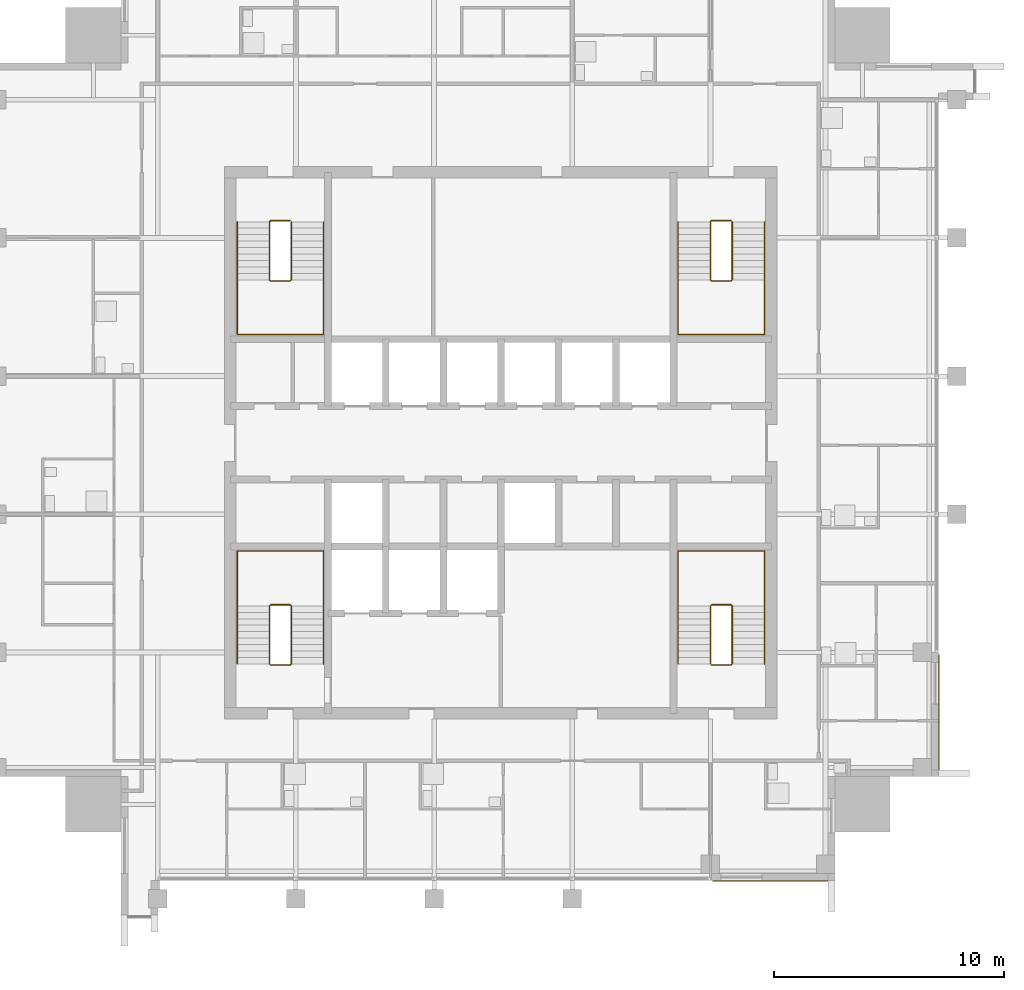
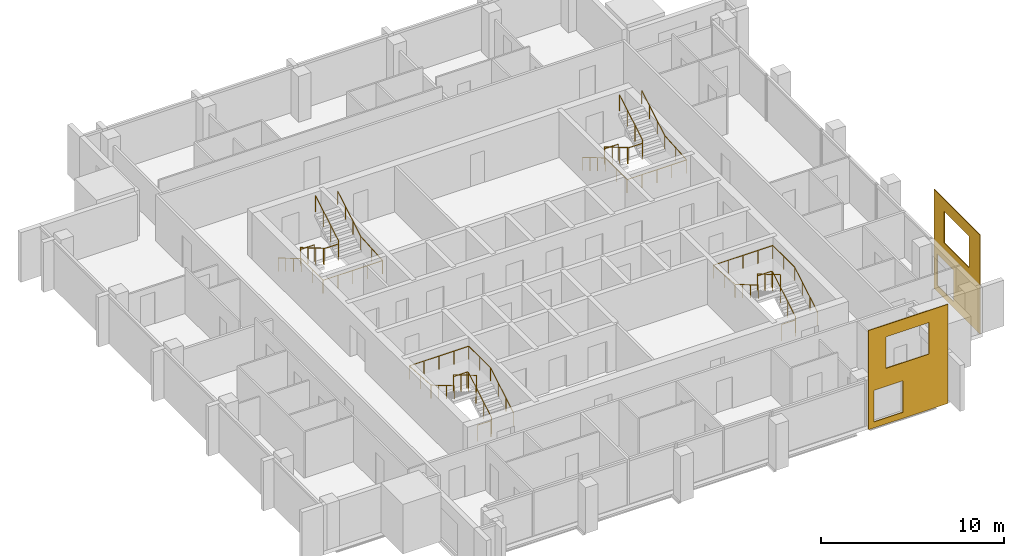
# One storey, part 12 of 13: 8 railings, 2 coverings.
"""IFC4 building model written with IfcOpenShell, lengths in metres."""

from ifc_helpers import new_model, si_unit, direction, frame, origin, origin_2d, place, context, subcontext, project, spatial, polyline, circle, outline, extrude, material, layer, layer_set, type_object, element, save


model = new_model("IFC4")

# Units and contexts
model_context = context("Model", 3, precision=1e-05, world=origin(), true_north=direction((0.0, 1.0)))
body_context = subcontext(model_context, "Body", "Model", "MODEL_VIEW")
ifc_project = project(units=[si_unit("LENGTHUNIT", "METRE"), si_unit("AREAUNIT", "SQUARE_METRE"), si_unit("VOLUMEUNIT", "CUBIC_METRE"), si_unit("PLANEANGLEUNIT", "RADIAN"), si_unit("MASSUNIT", "GRAM", prefix="KILO")], contexts=[model_context])

# Site, building, storey
site_placement = place(None, origin())
site = spatial("IfcSite", under=ifc_project, at=site_placement, CompositionType="ELEMENT")
building_placement = place(site_placement, origin())
building = spatial("IfcBuilding", under=site, at=building_placement, Name="Amberfall Residences", CompositionType="ELEMENT")
storey_placement = place(building_placement, frame((0.0, 0.0, 271.89990234375)))
storey = spatial("IfcBuildingStorey", under=building, at=storey_placement, Name="L73", CompositionType="ELEMENT", Elevation=271.89990234375)

# Coverings
ifc_material_1 = material(Name="Pale limestone cladding", Category="masonry")
ifc_layer = layer(ifc_material_1, 0.050048828125)
ifc_layer_set = layer_set([ifc_layer], Name="Limestone fascia 50")
covering_type = type_object("IfcCoveringType", Name="Limestone fascia 50", PredefinedType="CLADDING", material=ifc_layer_set)
covering_1_placement = place(storey_placement, frame((83.68994140625, 26.5, 6.35009765625), z_axis=(0.0, 1.0, 0.0), x_axis=(1.0, 0.0, 0.0)))
element("IfcCovering", 1, at=covering_1_placement, inside=storey, type_object=covering_type, Name="Pale limestone cladding L73-L74 S", PredefinedType="CLADDING", context=body_context, shape_type="SweptSolid", body=[
    extrude(outline(polyline([(0.0, 0.0), (5.010009765625, 0.0), (5.010009765625, 6.60009765625), (0.0, 6.60009765625), (0.0, 0.0)]), holes=[polyline([(0.360107421875, 4.10009765625), (2.16015625, 4.10009765625), (2.16015625, 6.199951171875), (0.360107421875, 6.199951171875), (0.360107421875, 4.10009765625)]), polyline([(1.110107421875, 0.800048828125), (3.81005859375, 0.800048828125), (3.81005859375, 2.89990234375), (1.110107421875, 2.89990234375), (1.110107421875, 0.800048828125)])]), origin(), (0.0, 0.0, -1.0), 0.050048828125),
])
covering_2_placement = place(storey_placement, frame((93.5, 31.300048828125, 6.35009765625), z_axis=(-1.0, 0.0, 0.0), x_axis=(0.0, 1.0, 0.0)))
element("IfcCovering", 2, at=covering_2_placement, inside=storey, type_object=covering_type, Name="Pale limestone cladding L73-L74 E", PredefinedType="CLADDING", context=body_context, shape_type="SweptSolid", body=[
    extrude(outline(polyline([(0.0, 0.0), (5.010009765625, 0.0), (5.010009765625, 6.60009765625), (0.0, 6.60009765625), (0.0, 0.0)]), holes=[polyline([(2.849853515625, 4.10009765625), (4.64990234375, 4.10009765625), (4.64990234375, 6.199951171875), (2.849853515625, 6.199951171875), (2.849853515625, 4.10009765625)]), polyline([(1.199951171875, 0.800048828125), (3.89990234375, 0.800048828125), (3.89990234375, 2.89990234375), (1.199951171875, 2.89990234375), (1.199951171875, 0.800048828125)])]), origin(), (0.0, 0.0, -1.0), 0.050048828125),
])

# Railings
ifc_material_2 = material(Name="Stainless steel 316", Category="steel")
railing_type_1 = type_object("IfcRailingType", Name="Stair guard 1100", PredefinedType="GUARDRAIL", material=ifc_material_2)
railing_1_placement = place(storey_placement, frame((64.5, 35.85009765625, 0.0)))
element("IfcRailing", 3, at=railing_1_placement, inside=storey, type_object=railing_type_1, Name="L73 stair 1 guard", PredefinedType="GUARDRAIL", context=body_context, shape_type="SweptSolid", body=[
    extrude(circle(Radius=0.02392578125, at=origin_2d()), frame((0.0, 0.0, 1.076171875), z_axis=(1.0, 0.0, 0.0), x_axis=(0.0, 1.0, 0.0)), (0.0, 0.0, 1.0), 0.85009765625),
    extrude(circle(Radius=0.02392578125, at=origin_2d()), frame((0.85009765625, 0.0, 1.076171875), z_axis=(0.27755538755, 0.27755538755, 0.919742362667), x_axis=(-0.707106781187, 0.707106781187, 0.0)), (0.0, 0.0, 1.0), 0.179443359375),
    extrude(circle(Radius=0.02392578125, at=origin_2d()), frame((0.89990234375, 0.0498046875, 1.2412109375), z_axis=(0.0, 0.86152411907, 0.507716645641), x_axis=(-1.0, 0.0, 0.0)), (0.0, 0.0, 1.0), 2.925048828125),
    extrude(circle(Radius=0.02392578125, at=origin_2d()), frame((0.89990234375, 2.56982421875, 2.72607421875), z_axis=(-0.705375805398, 0.708833529934, 0.0), x_axis=(-0.708833529934, -0.705375805398, 0.0)), (0.0, 0.0, 1.0), 0.070556640625),
    extrude(circle(Radius=0.02392578125, at=origin_2d()), frame((0.85009765625, 2.619873046875, 2.72607421875), z_axis=(-1.0, 0.0, 0.0), x_axis=(0.0, -1.0, 0.0)), (0.0, 0.0, 1.0), 0.85009765625),
    extrude(circle(Radius=0.02392578125, at=origin_2d()), frame((0.0, 2.619873046875, 2.72607421875), z_axis=(-0.278705021027, -0.278705021027, 0.919046801044), x_axis=(0.707106781187, -0.707106781187, 0.0)), (0.0, 0.0, 1.0), 0.1796875),
    extrude(circle(Radius=0.02392578125, at=origin_2d()), frame((-0.050048828125, 2.56982421875, 2.89111328125), z_axis=(0.0, -0.861560626758, 0.507654692109), x_axis=(1.0, 0.0, 0.0)), (0.0, 0.0, 1.0), 2.925048828125),
    extrude(circle(Radius=0.02099609375, at=origin_2d()), origin(), (0.0, 0.0, 1.0), 1.052001953125),
    extrude(circle(Radius=0.02099609375, at=origin_2d()), frame((0.85009765625, 0.0, 0.0)), (0.0, 0.0, 1.0), 1.052001953125),
    extrude(circle(Radius=0.02099609375, at=origin_2d()), frame((0.89990234375, 0.0498046875, 0.1650390625)), (0.0, 0.0, 1.0), 1.052001953125),
    extrude(circle(Radius=0.02099609375, at=origin_2d()), frame((0.89990234375, 0.889892578125, 0.66015625)), (0.0, 0.0, 1.0), 1.052001953125),
    extrude(circle(Radius=0.02099609375, at=origin_2d()), frame((0.89990234375, 1.729736328125, 1.155029296875)), (0.0, 0.0, 1.0), 1.052001953125),
    extrude(circle(Radius=0.02099609375, at=origin_2d()), frame((0.89990234375, 2.56982421875, 1.650146484375)), (0.0, 0.0, 1.0), 1.052001953125),
    extrude(circle(Radius=0.02099609375, at=origin_2d()), frame((0.85009765625, 2.619873046875, 1.650146484375)), (0.0, 0.0, 1.0), 1.052001953125),
    extrude(circle(Radius=0.02099609375, at=origin_2d()), frame((0.0, 2.619873046875, 1.650146484375)), (0.0, 0.0, 1.0), 1.052001953125),
    extrude(circle(Radius=0.02099609375, at=origin_2d()), frame((-0.050048828125, 2.56982421875, 1.815185546875)), (0.0, 0.0, 1.0), 1.052001953125),
    extrude(circle(Radius=0.02099609375, at=origin_2d()), frame((-0.050048828125, 1.729736328125, 2.31005859375)), (0.0, 0.0, 1.0), 1.052001953125),
    extrude(circle(Radius=0.02099609375, at=origin_2d()), frame((-0.050048828125, 0.889892578125, 2.80517578125)), (0.0, 0.0, 1.0), 1.052001953125),
    extrude(circle(Radius=0.02099609375, at=origin_2d()), frame((-0.050048828125, 0.0498046875, 3.300048828125)), (0.0, 0.0, 1.0), 1.052001953125),
])
railing_2_placement = place(storey_placement, frame((83.64990234375, 35.85009765625, 0.0)))
element("IfcRailing", 4, at=railing_2_placement, inside=storey, type_object=railing_type_1, Name="L73 stair 2 guard", PredefinedType="GUARDRAIL", context=body_context, shape_type="SweptSolid", body=[
    extrude(circle(Radius=0.02392578125, at=origin_2d()), frame((0.0, 0.0, 1.076171875), z_axis=(1.0, 0.0, 0.0), x_axis=(0.0, 1.0, 0.0)), (0.0, 0.0, 1.0), 0.85009765625),
    extrude(circle(Radius=0.02392578125, at=origin_2d()), frame((0.85009765625, 0.0, 1.076171875), z_axis=(0.278810427259, 0.277450376394, 0.919394384522), x_axis=(-0.705375805398, 0.708833529934, 0.0)), (0.0, 0.0, 1.0), 0.179443359375),
    extrude(circle(Radius=0.02392578125, at=origin_2d()), frame((0.900146484375, 0.0498046875, 1.2412109375), z_axis=(0.0, 0.86152411907, 0.507716645641), x_axis=(-1.0, 0.0, 0.0)), (0.0, 0.0, 1.0), 2.925048828125),
    extrude(circle(Radius=0.02392578125, at=origin_2d()), frame((0.900146484375, 2.56982421875, 2.72607421875), z_axis=(-0.707106781187, 0.707106781187, 0.0), x_axis=(-0.707106781187, -0.707106781187, 0.0)), (0.0, 0.0, 1.0), 0.07080078125),
    extrude(circle(Radius=0.02392578125, at=origin_2d()), frame((0.85009765625, 2.619873046875, 2.72607421875), z_axis=(-1.0, 0.0, 0.0), x_axis=(0.0, -1.0, 0.0)), (0.0, 0.0, 1.0), 0.85009765625),
    extrude(circle(Radius=0.02392578125, at=origin_2d()), frame((0.0, 2.619873046875, 2.72607421875), z_axis=(-0.277450376394, -0.278810427259, 0.919394384522), x_axis=(0.708833529934, -0.705375805398, 0.0)), (0.0, 0.0, 1.0), 0.179443359375),
    extrude(circle(Radius=0.02392578125, at=origin_2d()), frame((-0.0498046875, 2.56982421875, 2.89111328125), z_axis=(0.0, -0.861560626758, 0.507654692109), x_axis=(1.0, 0.0, 0.0)), (0.0, 0.0, 1.0), 2.925048828125),
    extrude(circle(Radius=0.02099609375, at=origin_2d()), origin(), (0.0, 0.0, 1.0), 1.052001953125),
    extrude(circle(Radius=0.02099609375, at=origin_2d()), frame((0.85009765625, 0.0, 0.0)), (0.0, 0.0, 1.0), 1.052001953125),
    extrude(circle(Radius=0.02099609375, at=origin_2d()), frame((0.900146484375, 0.0498046875, 0.1650390625)), (0.0, 0.0, 1.0), 1.052001953125),
    extrude(circle(Radius=0.02099609375, at=origin_2d()), frame((0.900146484375, 0.889892578125, 0.66015625)), (0.0, 0.0, 1.0), 1.052001953125),
    extrude(circle(Radius=0.02099609375, at=origin_2d()), frame((0.900146484375, 1.729736328125, 1.155029296875)), (0.0, 0.0, 1.0), 1.052001953125),
    extrude(circle(Radius=0.02099609375, at=origin_2d()), frame((0.900146484375, 2.56982421875, 1.650146484375)), (0.0, 0.0, 1.0), 1.052001953125),
    extrude(circle(Radius=0.02099609375, at=origin_2d()), frame((0.85009765625, 2.619873046875, 1.650146484375)), (0.0, 0.0, 1.0), 1.052001953125),
    extrude(circle(Radius=0.02099609375, at=origin_2d()), frame((0.0, 2.619873046875, 1.650146484375)), (0.0, 0.0, 1.0), 1.052001953125),
    extrude(circle(Radius=0.02099609375, at=origin_2d()), frame((-0.0498046875, 2.56982421875, 1.815185546875)), (0.0, 0.0, 1.0), 1.052001953125),
    extrude(circle(Radius=0.02099609375, at=origin_2d()), frame((-0.0498046875, 1.729736328125, 2.31005859375)), (0.0, 0.0, 1.0), 1.052001953125),
    extrude(circle(Radius=0.02099609375, at=origin_2d()), frame((-0.0498046875, 0.889892578125, 2.80517578125)), (0.0, 0.0, 1.0), 1.052001953125),
    extrude(circle(Radius=0.02099609375, at=origin_2d()), frame((-0.0498046875, 0.0498046875, 3.300048828125)), (0.0, 0.0, 1.0), 1.052001953125),
])
railing_3_placement = place(storey_placement, frame((84.5, 55.14990234375, 0.0)))
element("IfcRailing", 5, at=railing_3_placement, inside=storey, type_object=railing_type_1, Name="L73 stair 3 guard", PredefinedType="GUARDRAIL", context=body_context, shape_type="SweptSolid", body=[
    extrude(circle(Radius=0.02392578125, at=origin_2d()), frame((0.0, 0.0, 1.076171875), z_axis=(-1.0, 0.0, 0.0), x_axis=(0.0, -1.0, 0.0)), (0.0, 0.0, 1.0), 0.85009765625),
    extrude(circle(Radius=0.02392578125, at=origin_2d()), frame((-0.85009765625, 0.0, 1.076171875), z_axis=(-0.27755538755, -0.27755538755, 0.919742362667), x_axis=(0.707106781187, -0.707106781187, 0.0)), (0.0, 0.0, 1.0), 0.179443359375),
    extrude(circle(Radius=0.02392578125, at=origin_2d()), frame((-0.89990234375, -0.0498046875, 1.2412109375), z_axis=(0.0, -0.86152411907, 0.507716645641), x_axis=(1.0, 0.0, 0.0)), (0.0, 0.0, 1.0), 2.925048828125),
    extrude(circle(Radius=0.02392578125, at=origin_2d()), frame((-0.89990234375, -2.56982421875, 2.72607421875), z_axis=(0.705375805398, -0.708833529934, 0.0), x_axis=(0.708833529934, 0.705375805398, 0.0)), (0.0, 0.0, 1.0), 0.070556640625),
    extrude(circle(Radius=0.02392578125, at=origin_2d()), frame((-0.85009765625, -2.619873046875, 2.72607421875), z_axis=(1.0, 0.0, 0.0), x_axis=(0.0, 1.0, 0.0)), (0.0, 0.0, 1.0), 0.85009765625),
    extrude(circle(Radius=0.02392578125, at=origin_2d()), frame((0.0, -2.619873046875, 2.72607421875), z_axis=(0.278705021027, 0.278705021027, 0.919046801044), x_axis=(-0.707106781187, 0.707106781187, 0.0)), (0.0, 0.0, 1.0), 0.1796875),
    extrude(circle(Radius=0.02392578125, at=origin_2d()), frame((0.050048828125, -2.56982421875, 2.89111328125), z_axis=(0.0, 0.861560626758, 0.507654692109), x_axis=(-1.0, 0.0, 0.0)), (0.0, 0.0, 1.0), 2.925048828125),
    extrude(circle(Radius=0.02099609375, at=origin_2d()), origin(), (0.0, 0.0, 1.0), 1.052001953125),
    extrude(circle(Radius=0.02099609375, at=origin_2d()), frame((-0.85009765625, 0.0, 0.0)), (0.0, 0.0, 1.0), 1.052001953125),
    extrude(circle(Radius=0.02099609375, at=origin_2d()), frame((-0.89990234375, -0.0498046875, 0.1650390625)), (0.0, 0.0, 1.0), 1.052001953125),
    extrude(circle(Radius=0.02099609375, at=origin_2d()), frame((-0.89990234375, -0.889892578125, 0.66015625)), (0.0, 0.0, 1.0), 1.052001953125),
    extrude(circle(Radius=0.02099609375, at=origin_2d()), frame((-0.89990234375, -1.729736328125, 1.155029296875)), (0.0, 0.0, 1.0), 1.052001953125),
    extrude(circle(Radius=0.02099609375, at=origin_2d()), frame((-0.89990234375, -2.56982421875, 1.650146484375)), (0.0, 0.0, 1.0), 1.052001953125),
    extrude(circle(Radius=0.02099609375, at=origin_2d()), frame((-0.85009765625, -2.619873046875, 1.650146484375)), (0.0, 0.0, 1.0), 1.052001953125),
    extrude(circle(Radius=0.02099609375, at=origin_2d()), frame((0.0, -2.619873046875, 1.650146484375)), (0.0, 0.0, 1.0), 1.052001953125),
    extrude(circle(Radius=0.02099609375, at=origin_2d()), frame((0.050048828125, -2.56982421875, 1.815185546875)), (0.0, 0.0, 1.0), 1.052001953125),
    extrude(circle(Radius=0.02099609375, at=origin_2d()), frame((0.050048828125, -1.729736328125, 2.31005859375)), (0.0, 0.0, 1.0), 1.052001953125),
    extrude(circle(Radius=0.02099609375, at=origin_2d()), frame((0.050048828125, -0.889892578125, 2.80517578125)), (0.0, 0.0, 1.0), 1.052001953125),
    extrude(circle(Radius=0.02099609375, at=origin_2d()), frame((0.050048828125, -0.0498046875, 3.300048828125)), (0.0, 0.0, 1.0), 1.052001953125),
])
railing_4_placement = place(storey_placement, frame((65.35009765625, 55.14990234375, 0.0)))
element("IfcRailing", 6, at=railing_4_placement, inside=storey, type_object=railing_type_1, Name="L73 stair 4 guard", PredefinedType="GUARDRAIL", context=body_context, shape_type="SweptSolid", body=[
    extrude(circle(Radius=0.02392578125, at=origin_2d()), frame((0.0, 0.0, 1.076171875), z_axis=(-1.0, 0.0, 0.0), x_axis=(0.0, -1.0, 0.0)), (0.0, 0.0, 1.0), 0.85009765625),
    extrude(circle(Radius=0.02392578125, at=origin_2d()), frame((-0.85009765625, 0.0, 1.076171875), z_axis=(-0.278810427259, -0.277450376394, 0.919394384522), x_axis=(0.705375805398, -0.708833529934, 0.0)), (0.0, 0.0, 1.0), 0.179443359375),
    extrude(circle(Radius=0.02392578125, at=origin_2d()), frame((-0.900146484375, -0.0498046875, 1.2412109375), z_axis=(0.0, -0.86152411907, 0.507716645641), x_axis=(1.0, 0.0, 0.0)), (0.0, 0.0, 1.0), 2.925048828125),
    extrude(circle(Radius=0.02392578125, at=origin_2d()), frame((-0.900146484375, -2.56982421875, 2.72607421875), z_axis=(0.707106781187, -0.707106781187, 0.0), x_axis=(0.707106781187, 0.707106781187, 0.0)), (0.0, 0.0, 1.0), 0.07080078125),
    extrude(circle(Radius=0.02392578125, at=origin_2d()), frame((-0.85009765625, -2.619873046875, 2.72607421875), z_axis=(1.0, 0.0, 0.0), x_axis=(0.0, 1.0, 0.0)), (0.0, 0.0, 1.0), 0.85009765625),
    extrude(circle(Radius=0.02392578125, at=origin_2d()), frame((0.0, -2.619873046875, 2.72607421875), z_axis=(0.277450376394, 0.278810427259, 0.919394384522), x_axis=(-0.708833529934, 0.705375805398, 0.0)), (0.0, 0.0, 1.0), 0.179443359375),
    extrude(circle(Radius=0.02392578125, at=origin_2d()), frame((0.0498046875, -2.56982421875, 2.89111328125), z_axis=(0.0, 0.861560626758, 0.507654692109), x_axis=(-1.0, 0.0, 0.0)), (0.0, 0.0, 1.0), 2.925048828125),
    extrude(circle(Radius=0.02099609375, at=origin_2d()), origin(), (0.0, 0.0, 1.0), 1.052001953125),
    extrude(circle(Radius=0.02099609375, at=origin_2d()), frame((-0.85009765625, 0.0, 0.0)), (0.0, 0.0, 1.0), 1.052001953125),
    extrude(circle(Radius=0.02099609375, at=origin_2d()), frame((-0.900146484375, -0.0498046875, 0.1650390625)), (0.0, 0.0, 1.0), 1.052001953125),
    extrude(circle(Radius=0.02099609375, at=origin_2d()), frame((-0.900146484375, -0.889892578125, 0.66015625)), (0.0, 0.0, 1.0), 1.052001953125),
    extrude(circle(Radius=0.02099609375, at=origin_2d()), frame((-0.900146484375, -1.729736328125, 1.155029296875)), (0.0, 0.0, 1.0), 1.052001953125),
    extrude(circle(Radius=0.02099609375, at=origin_2d()), frame((-0.900146484375, -2.56982421875, 1.650146484375)), (0.0, 0.0, 1.0), 1.052001953125),
    extrude(circle(Radius=0.02099609375, at=origin_2d()), frame((-0.85009765625, -2.619873046875, 1.650146484375)), (0.0, 0.0, 1.0), 1.052001953125),
    extrude(circle(Radius=0.02099609375, at=origin_2d()), frame((0.0, -2.619873046875, 1.650146484375)), (0.0, 0.0, 1.0), 1.052001953125),
    extrude(circle(Radius=0.02099609375, at=origin_2d()), frame((0.0498046875, -2.56982421875, 1.815185546875)), (0.0, 0.0, 1.0), 1.052001953125),
    extrude(circle(Radius=0.02099609375, at=origin_2d()), frame((0.0498046875, -1.729736328125, 2.31005859375)), (0.0, 0.0, 1.0), 1.052001953125),
    extrude(circle(Radius=0.02099609375, at=origin_2d()), frame((0.0498046875, -0.889892578125, 2.80517578125)), (0.0, 0.0, 1.0), 1.052001953125),
    extrude(circle(Radius=0.02099609375, at=origin_2d()), frame((0.0498046875, -0.0498046875, 3.300048828125)), (0.0, 0.0, 1.0), 1.052001953125),
])
railing_type_2 = type_object("IfcRailingType", Name="Stair handrail 900", PredefinedType="HANDRAIL", material=ifc_material_2)
railing_5_placement = place(storey_placement, frame((66.800048828125, 35.89990234375, 0.1650390625)))
element("IfcRailing", 7, at=railing_5_placement, inside=storey, type_object=railing_type_2, Name="L73 stair 1 handrail", PredefinedType="HANDRAIL", context=body_context, shape_type="SweptSolid", body=[
    extrude(circle(Radius=0.02392578125, at=origin_2d()), frame((0.0, 0.0, 0.8759765625), z_axis=(0.0, 0.86152411907, 0.507716645641), x_axis=(-1.0, 0.0, 0.0)), (0.0, 0.0, 1.0), 2.925048828125),
    extrude(circle(Radius=0.02392578125, at=origin_2d()), frame((0.0, 2.52001953125, 2.36083984375), z_axis=(0.0, 1.0, 0.0), x_axis=(-1.0, 0.0, 0.0)), (0.0, 0.0, 1.0), 2.380126953125),
    extrude(circle(Radius=0.02392578125, at=origin_2d()), frame((0.0, 4.900146484375, 2.36083984375), z_axis=(-1.0, 0.0, 0.0), x_axis=(0.0, -1.0, 0.0)), (0.0, 0.0, 1.0), 3.75),
    extrude(circle(Radius=0.02392578125, at=origin_2d()), frame((-3.75, 4.900146484375, 2.36083984375), z_axis=(0.0, -0.997604585917, 0.069174346095), x_axis=(1.0, 0.0, 0.0)), (0.0, 0.0, 1.0), 2.3857421875),
    extrude(circle(Radius=0.02392578125, at=origin_2d()), frame((-3.75, 2.52001953125, 2.52587890625), z_axis=(0.0, -0.861560626758, 0.507654692109), x_axis=(1.0, 0.0, 0.0)), (0.0, 0.0, 1.0), 2.925048828125),
    extrude(circle(Radius=0.02099609375, at=origin_2d()), origin(), (0.0, 0.0, 1.0), 0.851806640625),
    extrude(circle(Radius=0.02099609375, at=origin_2d()), frame((0.0, 0.840087890625, 0.4951171875)), (0.0, 0.0, 1.0), 0.851806640625),
    extrude(circle(Radius=0.02099609375, at=origin_2d()), frame((0.0, 1.679931640625, 0.989990234375)), (0.0, 0.0, 1.0), 0.851806640625),
    extrude(circle(Radius=0.02099609375, at=origin_2d()), frame((0.0, 2.52001953125, 1.485107421875)), (0.0, 0.0, 1.0), 0.851806640625),
    extrude(circle(Radius=0.02099609375, at=origin_2d()), frame((0.0, 3.7099609375, 1.485107421875)), (0.0, 0.0, 1.0), 0.851806640625),
    extrude(circle(Radius=0.02099609375, at=origin_2d()), frame((0.0, 4.900146484375, 1.485107421875)), (0.0, 0.0, 1.0), 0.851806640625),
    extrude(circle(Radius=0.02099609375, at=origin_2d()), frame((-0.9375, 4.900146484375, 1.485107421875)), (0.0, 0.0, 1.0), 0.851806640625),
    extrude(circle(Radius=0.02099609375, at=origin_2d()), frame((-1.875, 4.900146484375, 1.485107421875)), (0.0, 0.0, 1.0), 0.851806640625),
    extrude(circle(Radius=0.02099609375, at=origin_2d()), frame((-2.8125, 4.900146484375, 1.485107421875)), (0.0, 0.0, 1.0), 0.851806640625),
    extrude(circle(Radius=0.02099609375, at=origin_2d()), frame((-3.75, 4.900146484375, 1.485107421875)), (0.0, 0.0, 1.0), 0.851806640625),
    extrude(circle(Radius=0.02099609375, at=origin_2d()), frame((-3.75, 3.7099609375, 1.567626953125)), (0.0, 0.0, 1.0), 0.851806640625),
    extrude(circle(Radius=0.02099609375, at=origin_2d()), frame((-3.75, 2.52001953125, 1.650146484375)), (0.0, 0.0, 1.0), 0.851806640625),
    extrude(circle(Radius=0.02099609375, at=origin_2d()), frame((-3.75, 1.679931640625, 2.14501953125)), (0.0, 0.0, 1.0), 0.851806640625),
    extrude(circle(Radius=0.02099609375, at=origin_2d()), frame((-3.75, 0.840087890625, 2.64013671875)), (0.0, 0.0, 1.0), 0.851806640625),
    extrude(circle(Radius=0.02099609375, at=origin_2d()), frame((-3.75, 0.0, 3.135009765625)), (0.0, 0.0, 1.0), 0.851806640625),
])
railing_6_placement = place(storey_placement, frame((85.949951171875, 35.89990234375, 0.1650390625)))
element("IfcRailing", 8, at=railing_6_placement, inside=storey, type_object=railing_type_2, Name="L73 stair 2 handrail", PredefinedType="HANDRAIL", context=body_context, shape_type="SweptSolid", body=[
    extrude(circle(Radius=0.02392578125, at=origin_2d()), frame((0.0, 0.0, 0.8759765625), z_axis=(0.0, 0.86152411907, 0.507716645641), x_axis=(-1.0, 0.0, 0.0)), (0.0, 0.0, 1.0), 2.925048828125),
    extrude(circle(Radius=0.02392578125, at=origin_2d()), frame((0.0, 2.52001953125, 2.36083984375), z_axis=(0.0, 1.0, 0.0), x_axis=(-1.0, 0.0, 0.0)), (0.0, 0.0, 1.0), 2.380126953125),
    extrude(circle(Radius=0.02392578125, at=origin_2d()), frame((0.0, 4.900146484375, 2.36083984375), z_axis=(-1.0, 0.0, 0.0), x_axis=(0.0, -1.0, 0.0)), (0.0, 0.0, 1.0), 3.75),
    extrude(circle(Radius=0.02392578125, at=origin_2d()), frame((-3.75, 4.900146484375, 2.36083984375), z_axis=(0.0, -0.997604585917, 0.069174346095), x_axis=(1.0, 0.0, 0.0)), (0.0, 0.0, 1.0), 2.3857421875),
    extrude(circle(Radius=0.02392578125, at=origin_2d()), frame((-3.75, 2.52001953125, 2.52587890625), z_axis=(0.0, -0.861560626758, 0.507654692109), x_axis=(1.0, 0.0, 0.0)), (0.0, 0.0, 1.0), 2.925048828125),
    extrude(circle(Radius=0.02099609375, at=origin_2d()), origin(), (0.0, 0.0, 1.0), 0.851806640625),
    extrude(circle(Radius=0.02099609375, at=origin_2d()), frame((0.0, 0.840087890625, 0.4951171875)), (0.0, 0.0, 1.0), 0.851806640625),
    extrude(circle(Radius=0.02099609375, at=origin_2d()), frame((0.0, 1.679931640625, 0.989990234375)), (0.0, 0.0, 1.0), 0.851806640625),
    extrude(circle(Radius=0.02099609375, at=origin_2d()), frame((0.0, 2.52001953125, 1.485107421875)), (0.0, 0.0, 1.0), 0.851806640625),
    extrude(circle(Radius=0.02099609375, at=origin_2d()), frame((0.0, 3.7099609375, 1.485107421875)), (0.0, 0.0, 1.0), 0.851806640625),
    extrude(circle(Radius=0.02099609375, at=origin_2d()), frame((0.0, 4.900146484375, 1.485107421875)), (0.0, 0.0, 1.0), 0.851806640625),
    extrude(circle(Radius=0.02099609375, at=origin_2d()), frame((-0.9375, 4.900146484375, 1.485107421875)), (0.0, 0.0, 1.0), 0.851806640625),
    extrude(circle(Radius=0.02099609375, at=origin_2d()), frame((-1.875, 4.900146484375, 1.485107421875)), (0.0, 0.0, 1.0), 0.851806640625),
    extrude(circle(Radius=0.02099609375, at=origin_2d()), frame((-2.8125, 4.900146484375, 1.485107421875)), (0.0, 0.0, 1.0), 0.851806640625),
    extrude(circle(Radius=0.02099609375, at=origin_2d()), frame((-3.75, 4.900146484375, 1.485107421875)), (0.0, 0.0, 1.0), 0.851806640625),
    extrude(circle(Radius=0.02099609375, at=origin_2d()), frame((-3.75, 3.7099609375, 1.567626953125)), (0.0, 0.0, 1.0), 0.851806640625),
    extrude(circle(Radius=0.02099609375, at=origin_2d()), frame((-3.75, 2.52001953125, 1.650146484375)), (0.0, 0.0, 1.0), 0.851806640625),
    extrude(circle(Radius=0.02099609375, at=origin_2d()), frame((-3.75, 1.679931640625, 2.14501953125)), (0.0, 0.0, 1.0), 0.851806640625),
    extrude(circle(Radius=0.02099609375, at=origin_2d()), frame((-3.75, 0.840087890625, 2.64013671875)), (0.0, 0.0, 1.0), 0.851806640625),
    extrude(circle(Radius=0.02099609375, at=origin_2d()), frame((-3.75, 0.0, 3.135009765625)), (0.0, 0.0, 1.0), 0.851806640625),
])
railing_7_placement = place(storey_placement, frame((82.199951171875, 55.10009765625, 0.1650390625)))
element("IfcRailing", 9, at=railing_7_placement, inside=storey, type_object=railing_type_2, Name="L73 stair 3 handrail", PredefinedType="HANDRAIL", context=body_context, shape_type="SweptSolid", body=[
    extrude(circle(Radius=0.02392578125, at=origin_2d()), frame((0.0, 0.0, 0.8759765625), z_axis=(0.0, -0.86152411907, 0.507716645641), x_axis=(1.0, 0.0, 0.0)), (0.0, 0.0, 1.0), 2.925048828125),
    extrude(circle(Radius=0.02392578125, at=origin_2d()), frame((0.0, -2.52001953125, 2.36083984375), z_axis=(0.0, -1.0, 0.0), x_axis=(1.0, 0.0, 0.0)), (0.0, 0.0, 1.0), 2.380126953125),
    extrude(circle(Radius=0.02392578125, at=origin_2d()), frame((0.0, -4.900146484375, 2.36083984375), z_axis=(1.0, 0.0, 0.0), x_axis=(0.0, 1.0, 0.0)), (0.0, 0.0, 1.0), 3.75),
    extrude(circle(Radius=0.02392578125, at=origin_2d()), frame((3.75, -4.900146484375, 2.36083984375), z_axis=(0.0, 0.997604585917, 0.069174346095), x_axis=(-1.0, 0.0, 0.0)), (0.0, 0.0, 1.0), 2.3857421875),
    extrude(circle(Radius=0.02392578125, at=origin_2d()), frame((3.75, -2.52001953125, 2.52587890625), z_axis=(0.0, 0.861560626758, 0.507654692109), x_axis=(-1.0, 0.0, 0.0)), (0.0, 0.0, 1.0), 2.925048828125),
    extrude(circle(Radius=0.02099609375, at=origin_2d()), origin(), (0.0, 0.0, 1.0), 0.851806640625),
    extrude(circle(Radius=0.02099609375, at=origin_2d()), frame((0.0, -0.840087890625, 0.4951171875)), (0.0, 0.0, 1.0), 0.851806640625),
    extrude(circle(Radius=0.02099609375, at=origin_2d()), frame((0.0, -1.679931640625, 0.989990234375)), (0.0, 0.0, 1.0), 0.851806640625),
    extrude(circle(Radius=0.02099609375, at=origin_2d()), frame((0.0, -2.52001953125, 1.485107421875)), (0.0, 0.0, 1.0), 0.851806640625),
    extrude(circle(Radius=0.02099609375, at=origin_2d()), frame((0.0, -3.7099609375, 1.485107421875)), (0.0, 0.0, 1.0), 0.851806640625),
    extrude(circle(Radius=0.02099609375, at=origin_2d()), frame((0.0, -4.900146484375, 1.485107421875)), (0.0, 0.0, 1.0), 0.851806640625),
    extrude(circle(Radius=0.02099609375, at=origin_2d()), frame((0.9375, -4.900146484375, 1.485107421875)), (0.0, 0.0, 1.0), 0.851806640625),
    extrude(circle(Radius=0.02099609375, at=origin_2d()), frame((1.875, -4.900146484375, 1.485107421875)), (0.0, 0.0, 1.0), 0.851806640625),
    extrude(circle(Radius=0.02099609375, at=origin_2d()), frame((2.8125, -4.900146484375, 1.485107421875)), (0.0, 0.0, 1.0), 0.851806640625),
    extrude(circle(Radius=0.02099609375, at=origin_2d()), frame((3.75, -4.900146484375, 1.485107421875)), (0.0, 0.0, 1.0), 0.851806640625),
    extrude(circle(Radius=0.02099609375, at=origin_2d()), frame((3.75, -3.7099609375, 1.567626953125)), (0.0, 0.0, 1.0), 0.851806640625),
    extrude(circle(Radius=0.02099609375, at=origin_2d()), frame((3.75, -2.52001953125, 1.650146484375)), (0.0, 0.0, 1.0), 0.851806640625),
    extrude(circle(Radius=0.02099609375, at=origin_2d()), frame((3.75, -1.679931640625, 2.14501953125)), (0.0, 0.0, 1.0), 0.851806640625),
    extrude(circle(Radius=0.02099609375, at=origin_2d()), frame((3.75, -0.840087890625, 2.64013671875)), (0.0, 0.0, 1.0), 0.851806640625),
    extrude(circle(Radius=0.02099609375, at=origin_2d()), frame((3.75, 0.0, 3.135009765625)), (0.0, 0.0, 1.0), 0.851806640625),
])
railing_8_placement = place(storey_placement, frame((63.050048828125, 55.10009765625, 0.1650390625)))
element("IfcRailing", 10, at=railing_8_placement, inside=storey, type_object=railing_type_2, Name="L73 stair 4 handrail", PredefinedType="HANDRAIL", context=body_context, shape_type="SweptSolid", body=[
    extrude(circle(Radius=0.02392578125, at=origin_2d()), frame((0.0, 0.0, 0.8759765625), z_axis=(0.0, -0.86152411907, 0.507716645641), x_axis=(1.0, 0.0, 0.0)), (0.0, 0.0, 1.0), 2.925048828125),
    extrude(circle(Radius=0.02392578125, at=origin_2d()), frame((0.0, -2.52001953125, 2.36083984375), z_axis=(0.0, -1.0, 0.0), x_axis=(1.0, 0.0, 0.0)), (0.0, 0.0, 1.0), 2.380126953125),
    extrude(circle(Radius=0.02392578125, at=origin_2d()), frame((0.0, -4.900146484375, 2.36083984375), z_axis=(1.0, 0.0, 0.0), x_axis=(0.0, 1.0, 0.0)), (0.0, 0.0, 1.0), 3.75),
    extrude(circle(Radius=0.02392578125, at=origin_2d()), frame((3.75, -4.900146484375, 2.36083984375), z_axis=(0.0, 0.997604585917, 0.069174346095), x_axis=(-1.0, 0.0, 0.0)), (0.0, 0.0, 1.0), 2.3857421875),
    extrude(circle(Radius=0.02392578125, at=origin_2d()), frame((3.75, -2.52001953125, 2.52587890625), z_axis=(0.0, 0.861560626758, 0.507654692109), x_axis=(-1.0, 0.0, 0.0)), (0.0, 0.0, 1.0), 2.925048828125),
    extrude(circle(Radius=0.02099609375, at=origin_2d()), origin(), (0.0, 0.0, 1.0), 0.851806640625),
    extrude(circle(Radius=0.02099609375, at=origin_2d()), frame((0.0, -0.840087890625, 0.4951171875)), (0.0, 0.0, 1.0), 0.851806640625),
    extrude(circle(Radius=0.02099609375, at=origin_2d()), frame((0.0, -1.679931640625, 0.989990234375)), (0.0, 0.0, 1.0), 0.851806640625),
    extrude(circle(Radius=0.02099609375, at=origin_2d()), frame((0.0, -2.52001953125, 1.485107421875)), (0.0, 0.0, 1.0), 0.851806640625),
    extrude(circle(Radius=0.02099609375, at=origin_2d()), frame((0.0, -3.7099609375, 1.485107421875)), (0.0, 0.0, 1.0), 0.851806640625),
    extrude(circle(Radius=0.02099609375, at=origin_2d()), frame((0.0, -4.900146484375, 1.485107421875)), (0.0, 0.0, 1.0), 0.851806640625),
    extrude(circle(Radius=0.02099609375, at=origin_2d()), frame((0.9375, -4.900146484375, 1.485107421875)), (0.0, 0.0, 1.0), 0.851806640625),
    extrude(circle(Radius=0.02099609375, at=origin_2d()), frame((1.875, -4.900146484375, 1.485107421875)), (0.0, 0.0, 1.0), 0.851806640625),
    extrude(circle(Radius=0.02099609375, at=origin_2d()), frame((2.8125, -4.900146484375, 1.485107421875)), (0.0, 0.0, 1.0), 0.851806640625),
    extrude(circle(Radius=0.02099609375, at=origin_2d()), frame((3.75, -4.900146484375, 1.485107421875)), (0.0, 0.0, 1.0), 0.851806640625),
    extrude(circle(Radius=0.02099609375, at=origin_2d()), frame((3.75, -3.7099609375, 1.567626953125)), (0.0, 0.0, 1.0), 0.851806640625),
    extrude(circle(Radius=0.02099609375, at=origin_2d()), frame((3.75, -2.52001953125, 1.650146484375)), (0.0, 0.0, 1.0), 0.851806640625),
    extrude(circle(Radius=0.02099609375, at=origin_2d()), frame((3.75, -1.679931640625, 2.14501953125)), (0.0, 0.0, 1.0), 0.851806640625),
    extrude(circle(Radius=0.02099609375, at=origin_2d()), frame((3.75, -0.840087890625, 2.64013671875)), (0.0, 0.0, 1.0), 0.851806640625),
    extrude(circle(Radius=0.02099609375, at=origin_2d()), frame((3.75, 0.0, 3.135009765625)), (0.0, 0.0, 1.0), 0.851806640625),
])

save(model, "model.ifc")
